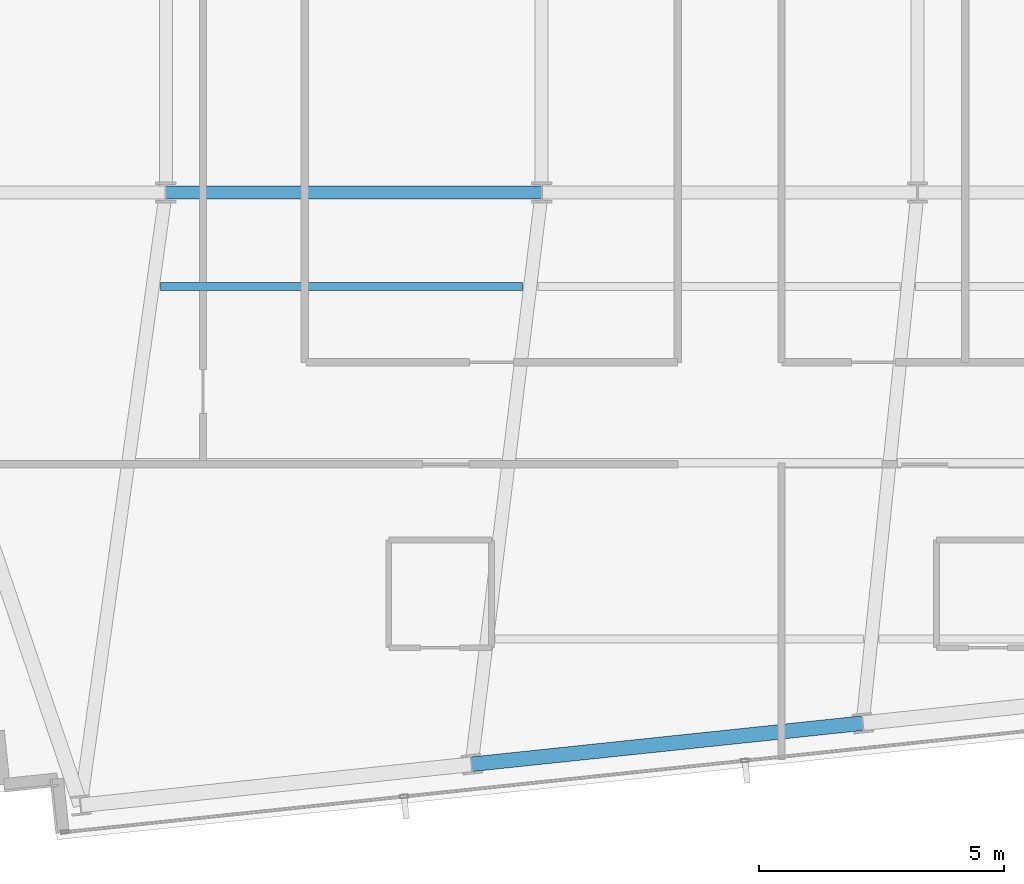
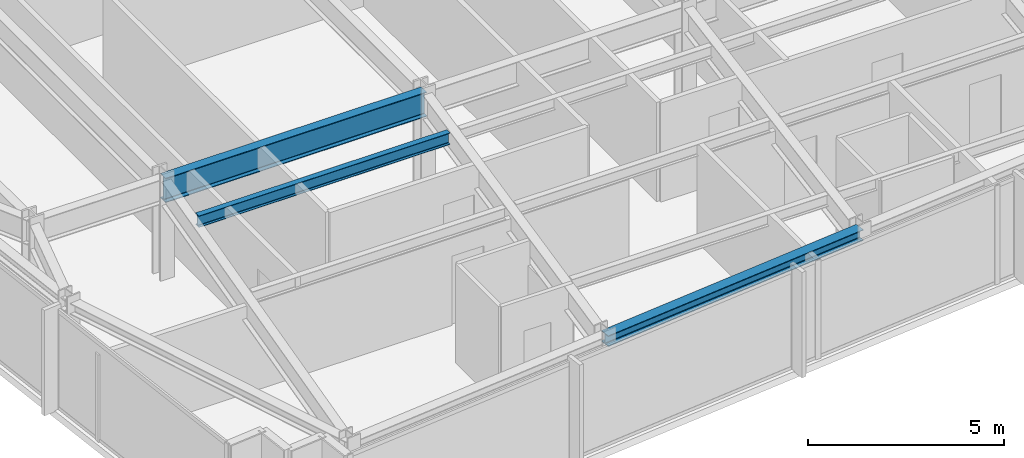
# One storey, part 6 of 32: 3 beams.
"""IFC4 building model written with IfcOpenShell, lengths in metres."""

from ifc_helpers import new_model, si_unit, direction, frame, origin, origin_2d, place, context, subcontext, project, spatial, i_section, extrude, material, material_profile, profile_set, type_object, element, save


model = new_model("IFC4")

# Units and contexts
model_context = context("Model", 3, precision=1e-05, world=origin(), true_north=direction((0.0, 1.0)))
body_context = subcontext(model_context, "Body", "Model", "MODEL_VIEW")
ifc_project = project(units=[si_unit("LENGTHUNIT", "METRE"), si_unit("AREAUNIT", "SQUARE_METRE"), si_unit("VOLUMEUNIT", "CUBIC_METRE"), si_unit("PLANEANGLEUNIT", "RADIAN"), si_unit("MASSUNIT", "GRAM", prefix="KILO")], contexts=[model_context])

# Site, building, storey
site_placement = place(None, origin())
site = spatial("IfcSite", under=ifc_project, at=site_placement, CompositionType="ELEMENT")
building_placement = place(site_placement, origin())
building = spatial("IfcBuilding", under=site, at=building_placement, Name="Yelkora Congress Tower", CompositionType="ELEMENT")
storey_placement = place(building_placement, frame((0.0, 0.0, 214.39990234375)))
storey = spatial("IfcBuildingStorey", under=building, at=storey_placement, Name="L59", CompositionType="ELEMENT", Elevation=214.39990234375)

# Beams
ifc_material = material(Name="Steel S355J2", Category="steel")
ifc_material_profile_1 = material_profile(ifc_material, i_section(OverallWidth=0.26708984375, OverallDepth=0.761962890625, WebThickness=0.014404296875, FlangeThickness=0.021484375, FilletRadius=0.01708984375, at=origin_2d()), Name="IPE 750x173")
ifc_profile_set_1 = profile_set([ifc_material_profile_1], Name="Steel S355J2")
beam_type_1 = type_object("IfcBeamType", Name="BM-GIRD-IPE750", PredefinedType="BEAM", material=ifc_profile_set_1)
beam_1_placement = place(storey_placement, frame((23.0400390625, 25.199951171875, 2.69921875), z_axis=(1.0, 0.0, 0.0), x_axis=(0.0, 1.0, 0.0)))
element("IfcBeam", 1, at=beam_1_placement, inside=storey, type_object=beam_type_1, Name="L59 Spine Grid D Girder 2", PredefinedType="BEAM", context=body_context, shape_type="SweptSolid", body=[
    extrude(i_section(OverallWidth=0.26708984375, OverallDepth=0.761962890625, WebThickness=0.014404296875, FlangeThickness=0.021484375, FilletRadius=0.01708984375, at=origin_2d()), origin(), (0.0, 0.0, 1.0), 7.679931640625),
])
ifc_material_profile_2 = material_profile(ifc_material, i_section(OverallWidth=0.169921875, OverallDepth=0.360107421875, WebThickness=0.008056640625, FlangeThickness=0.0126953125, FilletRadius=0.01806640625, at=origin_2d()), Name="IPE 360")
ifc_profile_set_2 = profile_set([ifc_material_profile_2], Name="Steel S355J2")
beam_type_2 = type_object("IfcBeamType", Name="BM-JOIST-IPE360", PredefinedType="JOIST", material=ifc_profile_set_2)
beam_2_placement = place(storey_placement, frame((22.932861328125, 23.278564453125, 2.900146484375), z_axis=(1.0, 0.0, 0.0), x_axis=(0.0, 1.0, 0.0)))
element("IfcBeam", 2, at=beam_2_placement, inside=storey, type_object=beam_type_2, Name="L59 Composite Floor Joist 9", PredefinedType="JOIST", context=body_context, shape_type="SweptSolid", body=[
    extrude(i_section(OverallWidth=0.169921875, OverallDepth=0.360107421875, WebThickness=0.008056640625, FlangeThickness=0.0126953125, FilletRadius=0.01806640625, at=origin_2d()), origin(), (0.0, 0.0, 1.0), 7.3916015625),
])
ifc_material_profile_3 = material_profile(ifc_material, i_section(OverallWidth=0.300048828125, OverallDepth=0.340087890625, WebThickness=0.011962890625, FlangeThickness=0.021484375, FilletRadius=0.027099609375, at=origin_2d()), Name="HEB 340")
ifc_profile_set_3 = profile_set([ifc_material_profile_3], Name="Steel S355J2")
beam_type_3 = type_object("IfcBeamType", Name="BM-SPAN-HEB340", PredefinedType="SPANDREL", material=ifc_profile_set_3)
beam_3_placement = place(storey_placement, frame((29.288330078125, 13.518310546875, 2.91015625), z_axis=(0.994523256947, 0.104515507904, 0.0), x_axis=(-0.104515507904, 0.994523256947, 0.0)))
element("IfcBeam", 3, at=beam_3_placement, inside=storey, type_object=beam_type_3, Name="L59 Perimeter Beam 4", PredefinedType="SPANDREL", context=body_context, shape_type="SweptSolid", body=[
    extrude(i_section(OverallWidth=0.300048828125, OverallDepth=0.340087890625, WebThickness=0.011962890625, FlangeThickness=0.021484375, FilletRadius=0.027099609375, at=origin_2d()), origin(), (0.0, 0.0, 1.0), 8.033203125),
])

save(model, "model.ifc")
